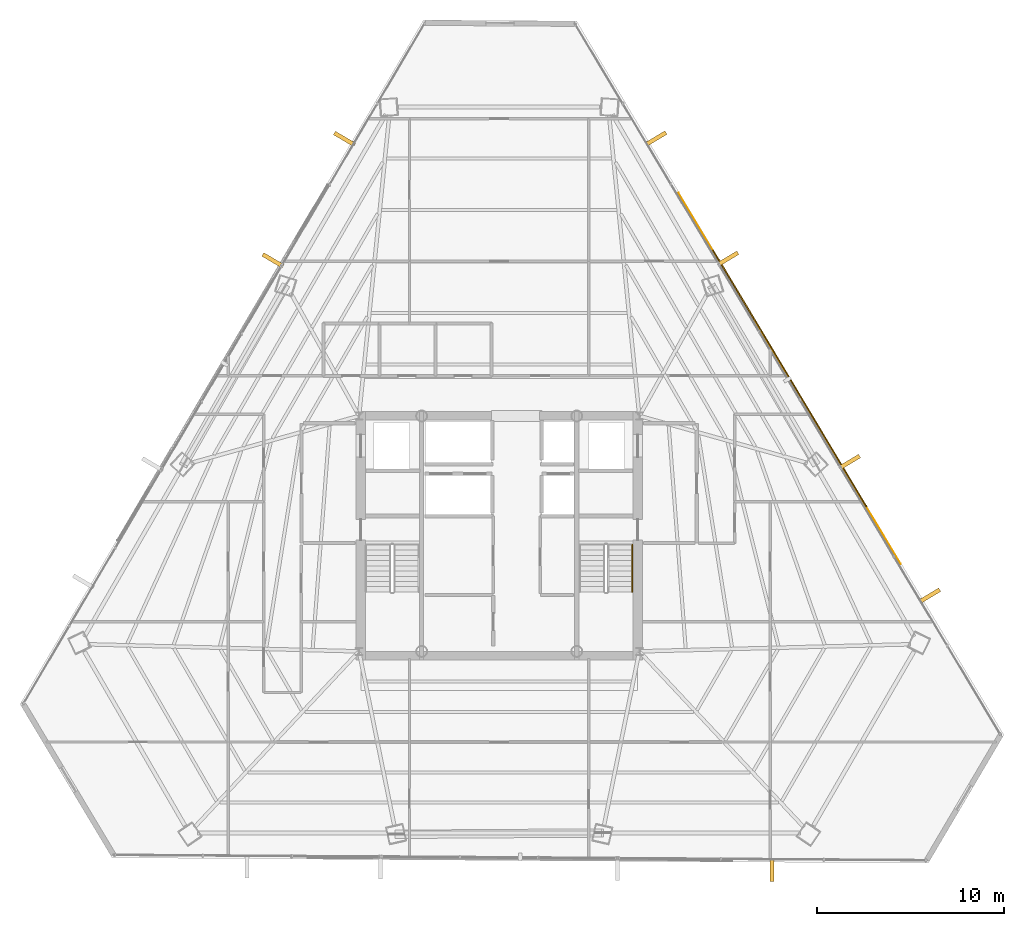
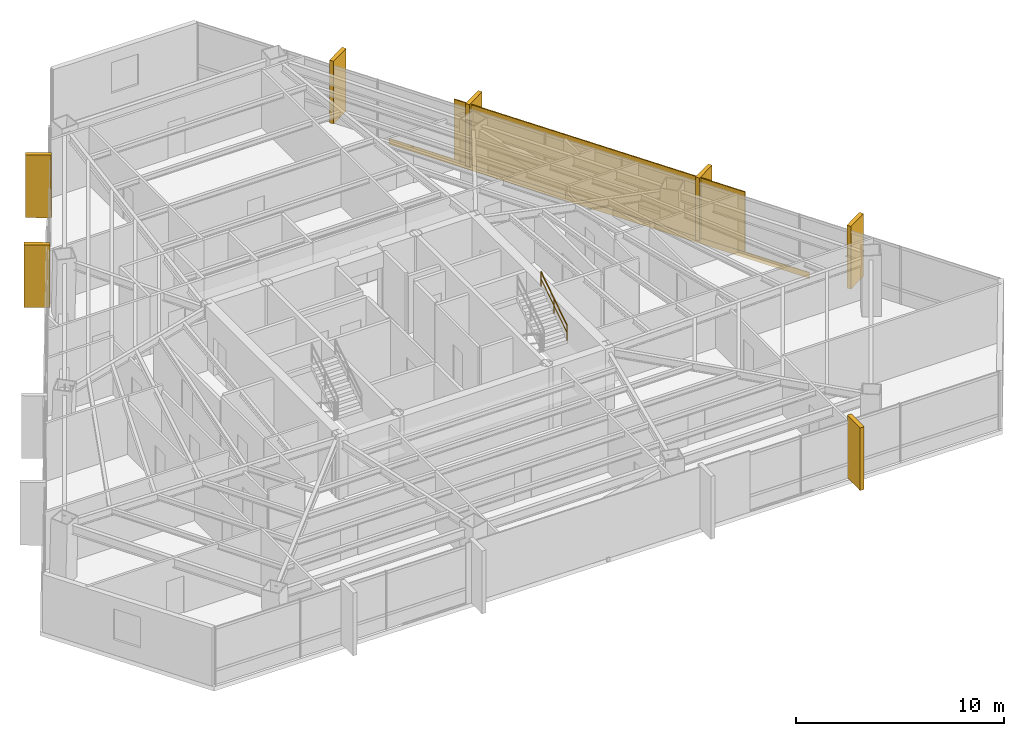
# One storey, part 41 of 41: 8 coverings, 1 railing, 1 shading device.
"""IFC4 building model written with IfcOpenShell, lengths in metres."""

from ifc_helpers import new_model, si_unit, direction, frame, origin, origin_2d, place, context, subcontext, project, spatial, rectangle, extrude, source, transform, mapped, material, layer, layer_set, type_object, type_shapes, element, save


model = new_model("IFC4")

# Units and contexts
model_context = context("Model", 3, precision=1e-05, world=origin(), true_north=direction((0.0, 1.0)))
body_context = subcontext(model_context, "Body", "Model", "MODEL_VIEW")
ifc_project = project(units=[si_unit("LENGTHUNIT", "METRE"), si_unit("AREAUNIT", "SQUARE_METRE"), si_unit("VOLUMEUNIT", "CUBIC_METRE"), si_unit("PLANEANGLEUNIT", "RADIAN"), si_unit("MASSUNIT", "GRAM", prefix="KILO")], contexts=[model_context])

# Site, building, storey
site_placement = place(None, origin())
site = spatial("IfcSite", under=ifc_project, at=site_placement, CompositionType="ELEMENT")
building_placement = place(site_placement, origin())
building = spatial("IfcBuilding", under=site, at=building_placement, Name="Caelisora Broadcast Tower", CompositionType="ELEMENT")
storey_placement = place(building_placement, frame((0.0, 0.0, 169.449951171875)))
storey = spatial("IfcBuildingStorey", under=building, at=storey_placement, Name="L44", CompositionType="ELEMENT", Elevation=169.449951171875)

# Railing
ifc_material_1 = material(Name="Stainless Steel Grade 316 Tubular Handrail", Category="steel")
ifc_layer_1 = layer(ifc_material_1, 0.048095703125, Name="Stainless Steel Grade 316 Tubular Handrail")
ifc_layer_set_1 = layer_set([ifc_layer_1], Name="Stainless Steel Grade 316 Tubular Handrail")
railing_type = type_object("IfcRailingType", Name="HR-1", PredefinedType="HANDRAIL", material=ifc_layer_set_1)
railing_placement = place(storey_placement, frame((45.1298828125, 20.580078125, 2.007568359375)))
element("IfcRailing", 1, at=railing_placement, inside=storey, type_object=railing_type, Name="L44 ST-2 stair handrail 2", PredefinedType="HANDRAIL", context=body_context, shape_type="SweptSolid", body=[
    extrude(rectangle(XDim=0.048095703125, YDim=0.048095703125, at=origin_2d()), frame((0.0, 0.0, 0.8759765625), z_axis=(0.0, 0.837749427056, 0.546054848405), x_axis=(-1.0, 0.0, 0.0)), (0.0, 0.0, 1.0), 3.008056640625),
    extrude(rectangle(XDim=0.03125, YDim=0.03125, at=origin_2d()), frame((0.0, 0.0, 0.449951171875), z_axis=(0.0, 0.837749427056, 0.546054848405), x_axis=(-1.0, 0.0, 0.0)), (0.0, 0.0, 1.0), 3.008056640625),
    extrude(rectangle(XDim=0.0419921875, YDim=0.0419921875, at=origin_2d()), origin(), (0.0, 0.0, 1.0), 0.851806640625),
    extrude(rectangle(XDim=0.0419921875, YDim=0.0419921875, at=origin_2d()), frame((0.0, 1.260009765625, 0.8212890625)), (0.0, 0.0, 1.0), 0.851806640625),
    extrude(rectangle(XDim=0.0419921875, YDim=0.0419921875, at=origin_2d()), frame((0.0, 2.52001953125, 1.642578125)), (0.0, 0.0, 1.0), 0.851806640625),
])

# Coverings
ifc_material_2 = material(Name="Kiln-Fired Terracotta Spandrel Rainscreen Cladding", Category="ceramic")
ifc_layer_2 = layer(ifc_material_2, 0.044921875, Name="Kiln-Fired Terracotta Spandrel Rainscreen Cladding")
ifc_layer_set_2 = layer_set([ifc_layer_2], Name="Kiln-Fired Terracotta Spandrel Rainscreen Cladding")
covering_type = type_object("IfcCoveringType", Name="CL-1", PredefinedType="CLADDING", material=ifc_layer_set_2)
shared_shape_1 = source(origin(), body_context, "Body", "SweptSolid", [
    extrude(rectangle(XDim=0.219970703125, YDim=1.25, at=origin_2d()), origin(), (0.0, 0.0, 1.0), 3.68994140625),
])
for number, where, z_axis, x_axis, name in (
    (2, (46.389404296875, 44.843017578125, -0.02001953125), (0.0, 0.0, 1.0), (0.513691004814, -0.857975262798, 0.0), "L44 vertical solar fin cladding #1-1"),
    (3, (50.2392578125, 38.412353515625, -0.02001953125), (0.0, 0.0, 1.0), (0.513691004814, -0.857975262798, 0.0), "L44 vertical solar fin cladding #1-2"),
    (4, (56.751220703125, 27.535400390625, -0.02001953125), (0.0, 0.0, 1.0), (0.513691004814, -0.857975262798, 0.0), "L44 vertical solar fin cladding #1-3"),
    (5, (61.036865234375, 20.377197265625, -0.02001953125), (0.0, 0.0, 1.0), (0.513691004814, -0.857975262798, 0.0), "L44 vertical solar fin cladding #1-4"),
    (6, (52.602294921875, 5.70947265625, -0.02001953125), (0.0, 0.0, 1.0), (-0.999978006703, 0.006632202536, 0.0), "L44 vertical solar fin cladding #2-1"),
    (7, (25.88720703125, 38.326904296875, -0.02001953125), (0.0, 0.0, 1.0), (0.507989441341, 0.861363295878, 0.0), "L44 vertical solar fin cladding #3-3"),
    (8, (29.719482421875, 44.82470703125, -0.02001953125), (0.0, 0.0, 1.0), (0.507989441341, 0.861363295878, 0.0), "L44 vertical solar fin cladding #3-4"),
):
    element("IfcCovering", number, at=place(storey_placement, frame(where, z_axis=z_axis, x_axis=x_axis)), inside=storey, type_object=covering_type, Name=name, PredefinedType="CLADDING", context=body_context, shape_type="MappedRepresentation", body=[
        mapped(shared_shape_1, transform((0.0, 0.0, 0.0), scale=1.0)),
    ])

# Shading device
ifc_material_3 = material(Name="Perforated Glazed Terracotta Baguette Solar Screen", Category="ceramic")
ifc_layer_3 = layer(ifc_material_3, 0.06494140625, Name="Perforated Glazed Terracotta Baguette Solar Screen")
ifc_layer_set_3 = layer_set([ifc_layer_3], Name="Perforated Glazed Terracotta Baguette Solar Screen")
shading_device_type = type_object("IfcShadingDeviceType", Name="SS-1", PredefinedType="USERDEFINED", material=ifc_layer_set_3)
shared_shape_2 = source(origin(), body_context, "Body", "SweptSolid", [
    extrude(rectangle(XDim=16.029052734375, YDim=0.06494140625, at=origin_2d()), origin(), (0.0, 0.0, 1.0), 3.590087890625),
])
type_shapes(shading_device_type, [shared_shape_2])
shading_device_placement = place(storey_placement, frame((53.545654296875, 32.012939453125, 0.0), z_axis=(0.0, 0.0, 1.0), x_axis=(-0.513691004814, 0.857975262798, 0.0)))
element("IfcShadingDevice", 9, at=shading_device_placement, inside=storey, type_object=shading_device_type, Name="L44 perforated terracotta solar screen #3", ObjectType="SOLAR SCREEN", PredefinedType="USERDEFINED", context=body_context, shape_type="MappedRepresentation", body=[
    mapped(shared_shape_2, transform((0.0, 0.0, 0.0), scale=1.0)),
])

# Covering
shared_shape_3 = source(origin(), body_context, "Body", "SweptSolid", [
    extrude(rectangle(XDim=23.154052734375, YDim=0.044921875, at=origin_2d()), origin(), (0.0, 0.0, 1.0), 0.340087890625),
])
type_shapes(covering_type, [shared_shape_1, shared_shape_3])
covering_placement = place(storey_placement, frame((53.528564453125, 32.002685546875, -0.27001953125), z_axis=(0.0, 0.0, 1.0), x_axis=(-0.513691004814, 0.857975262798, 0.0)))
element("IfcCovering", 10, at=covering_placement, inside=storey, type_object=covering_type, Name="L44 terracotta spandrel rainscreen #3", PredefinedType="CLADDING", context=body_context, shape_type="MappedRepresentation", body=[
    mapped(shared_shape_3, transform((0.0, 0.0, 0.0), scale=1.0)),
])

save(model, "model.ifc")
